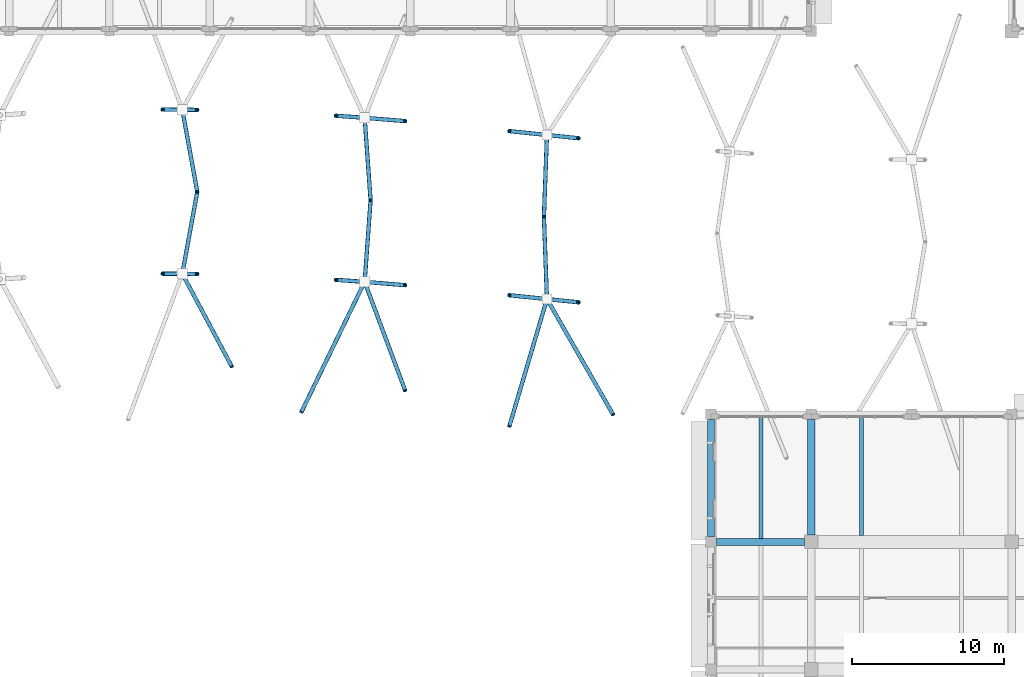
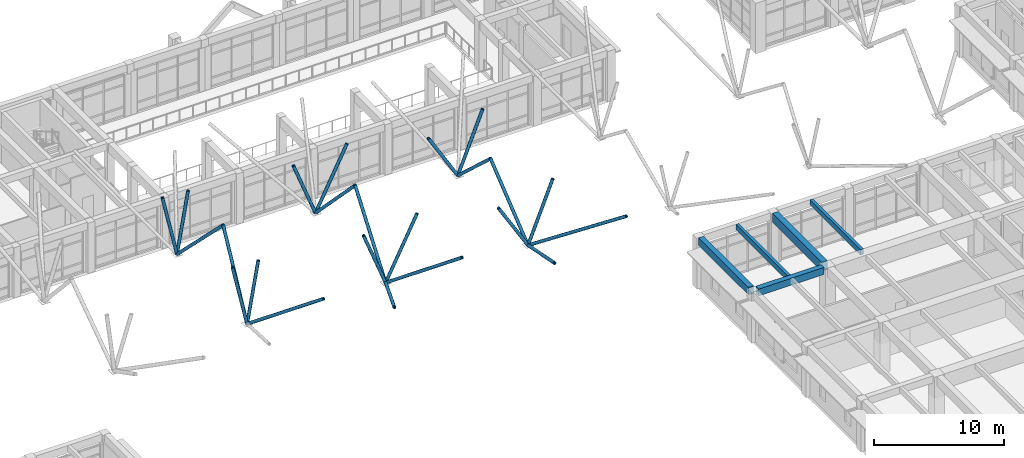
# One storey, part 13 of 75: 23 members, 5 beams.
"""IFC4 building model written with IfcOpenShell, lengths in metres."""

import ifcopenshell
import ifcopenshell.guid

model = None  # the IFC model being written
_history = None  # IfcOwnerHistory: only IFC2X3 demands one
_inside = {}  # id of a spatial element -> (the spatial element, [elements in it])
_under = {}  # id of a project, library or spatial element -> (it, [spatial elements below it])
_declared = {}  # id of a project -> (the project, [libraries it declares])
_typed = {}  # id of a type object -> (the type object, [elements of that type])
_made_of = {}  # id of a material, layer set ... -> (it, [elements and type objects made of it])


def new_model(schema):
    """Start an empty IFC model of exactly this schema.

    Asked for "IFC4X3", IfcOpenShell would pick the latest addendum, in which some entities
    have other attributes; the version numbers below select the first issue.
    IFC2X3 requires an IfcOwnerHistory on every rooted entity: one is made here for all.
    """
    global model, _history
    if schema == "IFC4X3":
        model = ifcopenshell.file(schema_version=(4, 3, 0, 0))
    else:
        model = ifcopenshell.file(schema=schema)
    _inside.clear()
    _under.clear()
    _declared.clear()
    _typed.clear()
    _made_of.clear()
    _history = None
    if model.schema == "IFC2X3":
        org = make("IfcOrganization", Name="unknown")
        user = make(
            "IfcPersonAndOrganization",
            ThePerson=make("IfcPerson", FamilyName="unknown"),
            TheOrganization=org,
        )
        app = make(
            "IfcApplication",
            ApplicationDeveloper=org,
            Version="unknown",
            ApplicationFullName="unknown",
            ApplicationIdentifier="unknown",
        )
        _history = make(
            "IfcOwnerHistory",
            OwningUser=user,
            OwningApplication=app,
            ChangeAction="ADDED",
            CreationDate=0,
        )
    return model


def make(cls, **values):
    """One entity of the class cls with the attributes given. An attribute that is None is left unset."""
    return model.create_entity(
        cls, **{name: value for name, value in values.items() if value is not None}
    )


def rooted(cls, **values):
    """An entity with a GlobalId (a new one), such as an element, a storey or a relation."""
    return make(cls, GlobalId=ifcopenshell.guid.new(), OwnerHistory=_history, **values)


def si_unit(unit_type, name, prefix=None):
    """IfcSIUnit, for example si_unit("LENGTHUNIT", "METRE", prefix="MILLI")."""
    return make("IfcSIUnit", UnitType=unit_type, Prefix=prefix, Name=name)


def assignment(units):
    """IfcUnitAssignment: the units of a project."""
    return None if units is None else make("IfcUnitAssignment", Units=units)


def point(xyz):
    """IfcCartesianPoint."""
    return None if xyz is None else make("IfcCartesianPoint", Coordinates=xyz)


def direction(xyz):
    """IfcDirection."""
    return None if xyz is None else make("IfcDirection", DirectionRatios=xyz)


def frame(location, z_axis=None, x_axis=None):
    """IfcAxis2Placement3D, a coordinate frame: its origin and axes. An axis left out is left unset."""
    return make(
        "IfcAxis2Placement3D",
        Location=point(location),
        Axis=direction(z_axis),
        RefDirection=direction(x_axis),
    )


def frame_2d(location, x_axis=None):
    """IfcAxis2Placement2D, a coordinate frame in the plane: its origin and x axis."""
    return make(
        "IfcAxis2Placement2D", Location=point(location), RefDirection=direction(x_axis)
    )


def origin():
    """The frame at (0, 0, 0) with its axes left unset."""
    return frame((0.0, 0.0, 0.0))


def origin_2d():
    """The frame at (0, 0) in the plane with its x axis left unset."""
    return frame_2d((0.0, 0.0))


def place(relative_to, where):
    """IfcLocalPlacement: puts the frame where relative to a parent placement (None: the world)."""
    return make(
        "IfcLocalPlacement", PlacementRelTo=relative_to, RelativePlacement=where
    )


def context(
    kind, dimensions, precision=None, world=None, true_north=None, identifier=None
):
    """IfcGeometricRepresentationContext, for example the 3D "Model" context."""
    return make(
        "IfcGeometricRepresentationContext",
        ContextIdentifier=identifier,
        ContextType=kind,
        CoordinateSpaceDimension=dimensions,
        Precision=precision,
        WorldCoordinateSystem=world,
        TrueNorth=true_north,
    )


def subcontext(parent, identifier, kind, view, scale=None):
    """IfcGeometricRepresentationSubContext, for example "Body" below "Model"."""
    return make(
        "IfcGeometricRepresentationSubContext",
        ContextIdentifier=identifier,
        ContextType=kind,
        ParentContext=parent,
        TargetScale=scale,
        TargetView=view,
    )


def project(units=None, contexts=None):
    """IfcProject with its units and contexts."""
    return rooted(
        "IfcProject",
        Name="project",
        RepresentationContexts=contexts,
        UnitsInContext=assignment(units),
    )


def spatial(cls, under=None, at=None, **own):
    """A site, building, storey or space (cls), placed at a placement, below another one or the project."""
    s = rooted(cls, ObjectPlacement=at, **own)
    if under is not None:
        _under.setdefault(under.id(), (under, []))[1].append(s)
    return s


def profile(cls, at=None, kind="AREA", **sizes):
    """A parametric profile (cls). Its sizes go by their IFC names, for example OverallWidth=200.0."""
    return make(cls, ProfileType=kind, Position=at, **sizes)


def rectangle(**sizes):
    """IfcRectangleProfileDef."""
    return profile("IfcRectangleProfileDef", **sizes)


def hollow_circle(**sizes):
    """IfcCircleHollowProfileDef."""
    return profile("IfcCircleHollowProfileDef", **sizes)


def extrude(swept, where, along, depth):
    """IfcExtrudedAreaSolid: the profile swept, set in the frame where, extruded along a direction by depth."""
    return make(
        "IfcExtrudedAreaSolid",
        SweptArea=swept,
        Position=where,
        ExtrudedDirection=direction(along),
        Depth=depth,
    )


def shape(context_of_items, identifier, shape_type, items):
    """IfcShapeRepresentation: the items that make up one representation, for example the "Body"."""
    return make(
        "IfcShapeRepresentation",
        ContextOfItems=context_of_items,
        RepresentationIdentifier=identifier,
        RepresentationType=shape_type,
        Items=items,
    )


def material(Name=None, Category=None):
    """IfcMaterial."""
    return make("IfcMaterial", Name=Name, Category=Category)


def material_profile(
    of_material, cross_section, Name=None, Category=None, Priority=None
):
    """IfcMaterialProfile: a cross section and its material."""
    return make(
        "IfcMaterialProfile",
        Name=Name,
        Material=of_material,
        Profile=cross_section,
        Priority=Priority,
        Category=Category,
    )


def profile_set(profiles, Name=None, composite=None):
    """IfcMaterialProfileSet."""
    return make(
        "IfcMaterialProfileSet",
        Name=Name,
        MaterialProfiles=profiles,
        CompositeProfile=composite,
    )


def made_of(thing, what):
    """Note that an element or type object is made of a material, layer set ...; save() writes the relation."""
    if what is not None:
        _made_of.setdefault(what.id(), (what, []))[1].append(thing)
    return thing


def type_object(cls, material=None, **own):
    """A type object (cls), such as IfcWallType, which elements share."""
    return made_of(rooted(cls, **own), material)


def element(
    cls,
    number,
    at=None,
    inside=None,
    cuts=None,
    type_object=None,
    material=None,
    context=None,
    identifier="Body",
    shape_type=None,
    held_by="IfcProductDefinitionShape",
    body=None,
    shapes=None,
    **own,
):
    """One element of the class cls, such as IfcWall. Its Tag is "e" and its number.

    at: its placement. inside: the storey or other place that contains it. cuts: it is an
    opening in that element (IfcRelVoidsElement). A single representation is given by context,
    identifier, shape_type and body (its items); several are given by shapes. held_by: the class
    of the entity that holds the representations. save() writes the other relations.
    """
    e = rooted(cls, Tag="e%d" % number, ObjectPlacement=at, **own)
    if body is not None:
        shapes = [shape(context, identifier, shape_type, body)]
    if shapes is not None:
        e.Representation = make(held_by, Representations=shapes)
    if inside is not None:
        _inside.setdefault(inside.id(), (inside, []))[1].append(e)
    if cuts is not None:
        rooted(
            "IfcRelVoidsElement", RelatingBuildingElement=cuts, RelatedOpeningElement=e
        )
    if type_object is not None:
        _typed.setdefault(type_object.id(), (type_object, []))[1].append(e)
    return made_of(e, material)


def aggregate(whole, parts):
    """IfcRelAggregates: a whole, such as a stair, and the parts it consists of."""
    return rooted("IfcRelAggregates", RelatingObject=whole, RelatedObjects=parts)


def save(model, path):
    """Write the relations noted so far, then the file.

    IfcRelAggregates (storeys below a building ...), IfcRelContainedInSpatialStructure (elements
    in a storey), IfcRelDefinesByType, IfcRelAssociatesMaterial and IfcRelDeclares: one each for
    every whole, place, type object, material and project.
    """
    for whole, parts in _under.values():
        aggregate(whole, parts)
    for where, things in _inside.values():
        rooted(
            "IfcRelContainedInSpatialStructure",
            RelatedElements=things,
            RelatingStructure=where,
        )
    for kind, things in _typed.values():
        rooted("IfcRelDefinesByType", RelatedObjects=things, RelatingType=kind)
    for what, things in _made_of.values():
        rooted("IfcRelAssociatesMaterial", RelatedObjects=things, RelatingMaterial=what)
    for by, libraries in _declared.values():
        rooted("IfcRelDeclares", RelatingContext=by, RelatedDefinitions=libraries)
    model.write(path)


model = new_model("IFC4")

# Units and contexts
model_context = context("Model", 3, precision=1e-05, world=origin(), true_north=direction((0.0, 1.0)))
body_context = subcontext(model_context, "Body", "Model", "MODEL_VIEW")
ifc_project = project(units=[si_unit("LENGTHUNIT", "METRE"), si_unit("AREAUNIT", "SQUARE_METRE"), si_unit("VOLUMEUNIT", "CUBIC_METRE"), si_unit("PLANEANGLEUNIT", "RADIAN"), si_unit("MASSUNIT", "GRAM", prefix="KILO")], contexts=[model_context])

# Site, building, storey
site_placement = place(None, origin())
site = spatial("IfcSite", under=ifc_project, at=site_placement, CompositionType="ELEMENT")
building_placement = place(site_placement, origin())
building = spatial("IfcBuilding", under=site, at=building_placement, Name="Kolvaren Faculty of Natural Sciences", CompositionType="ELEMENT")
storey_placement = place(building_placement, frame((0.0, 0.0, 5.39990234375)))
storey = spatial("IfcBuildingStorey", under=building, at=storey_placement, Name="L01", CompositionType="ELEMENT", Elevation=5.39990234375)

# Beams
ifc_material_1 = material(Name="Concrete C35/45", Category="concrete")
ifc_material_profile_1 = material_profile(ifc_material_1, rectangle(XDim=0.449951171875, YDim=0.64990234375, at=origin_2d()), Name="RC BM 450x650")
ifc_profile_set_1 = profile_set([ifc_material_profile_1], Name="Concrete C35/45")
beam_type_1 = type_object("IfcBeamType", Name="GridBeam_450x650", PredefinedType="BEAM", material=ifc_profile_set_1)
beam_1_placement = place(storey_placement, frame((99.550048828125, 33.800048828125, 4.47509765625), z_axis=(1.0, 0.0, 0.0), x_axis=(0.0, 1.0, 0.0)))
element("IfcBeam", 1, at=beam_1_placement, inside=storey, type_object=beam_type_1, Name="L01 beam BM-65 on grid E", PredefinedType="BEAM", context=body_context, shape_type="SweptSolid", body=[
    extrude(rectangle(XDim=0.449951171875, YDim=0.64990234375, at=origin_2d()), origin(), (0.0, 0.0, 1.0), 5.800048828125),
])
ifc_material_profile_2 = material_profile(ifc_material_1, rectangle(XDim=0.260009765625, YDim=0.5, at=origin_2d()), Name="RC JST 260x500")
ifc_profile_set_2 = profile_set([ifc_material_profile_2], Name="Concrete C35/45")
beam_type_2 = type_object("IfcBeamType", Name="LabRibJoist_260x500", PredefinedType="JOIST", material=ifc_profile_set_2)
beam_2_placement = place(storey_placement, frame((102.5, 34.02490234375, 4.550048828125), z_axis=(0.0, 1.0, 0.0), x_axis=(-1.0, 0.0, 0.0)))
element("IfcBeam", 2, at=beam_2_placement, inside=storey, type_object=beam_type_2, Name="L01 ribbed laboratory slab joist JS-50", PredefinedType="JOIST", context=body_context, shape_type="SweptSolid", body=[
    extrude(rectangle(XDim=0.260009765625, YDim=0.5, at=origin_2d()), origin(), (0.0, 0.0, 1.0), 7.9501953125),
])
beam_3_placement = place(storey_placement, frame((109.10009765625, 34.22509765625, 4.550048828125), z_axis=(0.0, 1.0, 0.0), x_axis=(-1.0, 0.0, 0.0)))
element("IfcBeam", 3, at=beam_3_placement, inside=storey, type_object=beam_type_2, Name="L01 ribbed laboratory slab joist JS-50", PredefinedType="JOIST", context=body_context, shape_type="SweptSolid", body=[
    extrude(rectangle(XDim=0.260009765625, YDim=0.5, at=origin_2d()), origin(), (0.0, 0.0, 1.0), 7.75),
])
ifc_material_profile_3 = material_profile(ifc_material_1, rectangle(XDim=0.449951171875, YDim=0.699951171875, at=origin_2d()), Name="RC SP 450x700")
ifc_profile_set_3 = profile_set([ifc_material_profile_3], Name="Concrete C35/45")
beam_type_3 = type_object("IfcBeamType", Name="PerimeterSpandrel_450x700", PredefinedType="SPANDREL", material=ifc_profile_set_3)
beam_4_placement = place(storey_placement, frame((99.199951171875, 34.14990234375, 4.4501953125), z_axis=(0.0, 1.0, 0.0), x_axis=(-1.0, 0.0, 0.0)))
element("IfcBeam", 4, at=beam_4_placement, inside=storey, type_object=beam_type_3, Name="L01 girder SP-70 on grid 16", PredefinedType="SPANDREL", context=body_context, shape_type="SweptSolid", body=[
    extrude(rectangle(XDim=0.449951171875, YDim=0.699951171875, at=origin_2d()), origin(), (0.0, 0.0, 1.0), 7.7001953125),
])
ifc_material_profile_4 = material_profile(ifc_material_1, rectangle(XDim=0.5, YDim=0.85009765625, at=origin_2d()), Name="RC BM 500x850")
ifc_profile_set_4 = profile_set([ifc_material_profile_4], Name="Concrete C35/45")
beam_type_4 = type_object("IfcBeamType", Name="PrimaryGirder_500x850", PredefinedType="BEAM", material=ifc_profile_set_4)
beam_5_placement = place(storey_placement, frame((105.800048828125, 34.25, 4.375), z_axis=(0.0, 1.0, 0.0), x_axis=(-1.0, 0.0, 0.0)))
element("IfcBeam", 5, at=beam_5_placement, inside=storey, type_object=beam_type_4, Name="L01 girder BG-85 on grid 17", PredefinedType="BEAM", context=body_context, shape_type="SweptSolid", body=[
    extrude(rectangle(XDim=0.5, YDim=0.85009765625, at=origin_2d()), origin(), (0.0, 0.0, 1.0), 7.60009765625),
])

# Members
ifc_material_2 = material(Name="Structural steel EN 10210-1 S355J2H (white architectural finish)", Category="steel")
ifc_material_profile_5 = material_profile(ifc_material_2, hollow_circle(Radius=0.136474609375, WallThickness=0.012451171875, at=origin_2d()), Name="CHS 273x12.5")
ifc_profile_set_5 = profile_set([ifc_material_profile_5], Name="Structural steel EN 10210-1 S355J2H (white architectural finish)")
member_type = type_object("IfcMemberType", Name="TreeBranchPrimary_CHS273", PredefinedType="STRUT", material=ifc_profile_set_5)
member_1_placement = place(storey_placement, frame((64.39990234375, 51.444580078125, 3.0), z_axis=(-0.219726187463, 0.000907959452, 0.975561160642), x_axis=(-0.004132196126, -0.999991462441, 0.0)))
element("IfcMember", 6, at=member_1_placement, inside=storey, type_object=member_type, Name="Covered street canopy tree TREE-03 inclined branch 2", PredefinedType="STRUT", context=body_context, shape_type="SweptSolid", body=[
    extrude(hollow_circle(Radius=0.136474609375, WallThickness=0.012451171875, at=origin_2d()), origin(), (0.0, 0.0, 1.0), 5.91552734375),
])
member_2_placement = place(storey_placement, frame((64.39990234375, 51.444580078125, 3.0), z_axis=(0.124566215741, 0.683596597175, 0.719151548859), x_axis=(-0.983799945634, 0.179269816117, 0.0)))
element("IfcMember", 7, at=member_2_placement, inside=storey, type_object=member_type, Name="Covered street canopy tree TREE-03 inclined branch 3", PredefinedType="STRUT", context=body_context, shape_type="SweptSolid", body=[
    extrude(hollow_circle(Radius=0.136474609375, WallThickness=0.012451171875, at=origin_2d()), origin(), (0.0, 0.0, 1.0), 7.8828125),
])
member_3_placement = place(storey_placement, frame((64.39990234375, 51.444580078125, 3.0), z_axis=(0.171401978972, -0.002002956989, 0.985199142188), x_axis=(0.011684930695, 0.999931728867, 0.0)))
element("IfcMember", 8, at=member_3_placement, inside=storey, type_object=member_type, Name="Covered street canopy tree TREE-03 inclined branch 4", PredefinedType="STRUT", context=body_context, shape_type="SweptSolid", body=[
    extrude(hollow_circle(Radius=0.136474609375, WallThickness=0.012451171875, at=origin_2d()), origin(), (0.0, 0.0, 1.0), 5.728759765625),
])
member_4_placement = place(storey_placement, frame((64.39990234375, 51.444580078125, 3.0), z_axis=(0.383151334801, -0.718953327509, 0.579914793314), x_axis=(0.882500929011, 0.470310652967, 0.0)))
element("IfcMember", 9, at=member_4_placement, inside=storey, type_object=member_type, Name="Covered street canopy tree TREE-03 inclined branch 5", PredefinedType="STRUT", context=body_context, shape_type="SweptSolid", body=[
    extrude(hollow_circle(Radius=0.136474609375, WallThickness=0.012451171875, at=origin_2d()), origin(), (0.0, 0.0, 1.0), 8.51806640625),
])
member_5_placement = place(storey_placement, frame((64.39990234375, 62.244384765625, 3.0), z_axis=(-0.219726179042, 0.0009492303, 0.975561123254), x_axis=(-0.004320019793, -0.999990668671, 0.0)))
element("IfcMember", 10, at=member_5_placement, inside=storey, type_object=member_type, Name="Covered street canopy tree TREE-04 inclined branch 2", PredefinedType="STRUT", context=body_context, shape_type="SweptSolid", body=[
    extrude(hollow_circle(Radius=0.136474609375, WallThickness=0.012451171875, at=origin_2d()), origin(), (0.0, 0.0, 1.0), 5.91552734375),
])
member_6_placement = place(storey_placement, frame((64.39990234375, 62.244384765625, 3.0), z_axis=(0.124323788676, -0.68511000801, 0.717751957499), x_axis=(0.983930937784, 0.178549460015, 0.0)))
element("IfcMember", 11, at=member_6_placement, inside=storey, type_object=member_type, Name="Covered street canopy tree TREE-04 inclined branch 3", PredefinedType="STRUT", context=body_context, shape_type="SweptSolid", body=[
    extrude(hollow_circle(Radius=0.136474609375, WallThickness=0.012451171875, at=origin_2d()), origin(), (0.0, 0.0, 1.0), 7.898193359375),
])
member_7_placement = place(storey_placement, frame((64.39990234375, 62.244384765625, 3.0), z_axis=(0.171401993447, -0.001960341049, 0.985199225388), x_axis=(0.011436348018, 0.999934602834, 0.0)))
element("IfcMember", 12, at=member_7_placement, inside=storey, type_object=member_type, Name="Covered street canopy tree TREE-04 inclined branch 4", PredefinedType="STRUT", context=body_context, shape_type="SweptSolid", body=[
    extrude(hollow_circle(Radius=0.136474609375, WallThickness=0.012451171875, at=origin_2d()), origin(), (0.0, 0.0, 1.0), 5.728759765625),
])
member_8_placement = place(storey_placement, frame((76.39990234375, 50.91064453125, 3.0), z_axis=(-0.398068959732, -0.818776912435, 0.413697318048), x_axis=(0.899345219811, -0.437239265853, 0.0)))
element("IfcMember", 13, at=member_8_placement, inside=storey, type_object=member_type, Name="Covered street canopy tree TREE-05 inclined branch 1", PredefinedType="STRUT", context=body_context, shape_type="SweptSolid", body=[
    extrude(hollow_circle(Radius=0.136474609375, WallThickness=0.012451171875, at=origin_2d()), origin(), (0.0, 0.0, 1.0), 10.482177734375),
])
member_9_placement = place(storey_placement, frame((76.39990234375, 50.91064453125, 3.0), z_axis=(-0.35258574357, 0.025448086592, 0.935433422708), x_axis=(-0.071988335695, -0.997405473979, 0.0)))
element("IfcMember", 14, at=member_9_placement, inside=storey, type_object=member_type, Name="Covered street canopy tree TREE-05 inclined branch 2", PredefinedType="STRUT", context=body_context, shape_type="SweptSolid", body=[
    extrude(hollow_circle(Radius=0.136474609375, WallThickness=0.012451171875, at=origin_2d()), origin(), (0.0, 0.0, 1.0), 5.36279296875),
])
member_10_placement = place(storey_placement, frame((76.39990234375, 50.91064453125, 3.0), z_axis=(0.049664498538, 0.68187930421, 0.729776713848), x_axis=(-0.99735805747, 0.072642309983, 0.0)))
element("IfcMember", 15, at=member_10_placement, inside=storey, type_object=member_type, Name="Covered street canopy tree TREE-05 inclined branch 3", PredefinedType="STRUT", context=body_context, shape_type="SweptSolid", body=[
    extrude(hollow_circle(Radius=0.136474609375, WallThickness=0.012451171875, at=origin_2d()), origin(), (0.0, 0.0, 1.0), 7.875),
])
member_11_placement = place(storey_placement, frame((76.39990234375, 50.91064453125, 3.0), z_axis=(0.423684385024, -0.034636237175, 0.905147431616), x_axis=(0.081478281882, 0.996675117369, 0.0)))
element("IfcMember", 16, at=member_11_placement, inside=storey, type_object=member_type, Name="Covered street canopy tree TREE-05 inclined branch 4", PredefinedType="STRUT", context=body_context, shape_type="SweptSolid", body=[
    extrude(hollow_circle(Radius=0.136474609375, WallThickness=0.012451171875, at=origin_2d()), origin(), (0.0, 0.0, 1.0), 6.30859375),
])
member_12_placement = place(storey_placement, frame((76.39990234375, 50.91064453125, 3.0), z_axis=(0.27893136178, -0.747647132941, 0.602678239213), x_axis=(0.936919604485, 0.349544925197, 0.0)))
element("IfcMember", 17, at=member_12_placement, inside=storey, type_object=member_type, Name="Covered street canopy tree TREE-05 inclined branch 5", PredefinedType="STRUT", context=body_context, shape_type="SweptSolid", body=[
    extrude(hollow_circle(Radius=0.136474609375, WallThickness=0.012451171875, at=origin_2d()), origin(), (0.0, 0.0, 1.0), 9.58251953125),
])
member_13_placement = place(storey_placement, frame((76.39990234375, 61.710693359375, 3.0), z_axis=(-0.352586151678, 0.02540259169, 0.935434505447), x_axis=(-0.071860220731, -0.997414712482, 0.0)))
element("IfcMember", 18, at=member_13_placement, inside=storey, type_object=member_type, Name="Covered street canopy tree TREE-06 inclined branch 2", PredefinedType="STRUT", context=body_context, shape_type="SweptSolid", body=[
    extrude(hollow_circle(Radius=0.136474609375, WallThickness=0.012451171875, at=origin_2d()), origin(), (0.0, 0.0, 1.0), 5.36279296875),
])
member_14_placement = place(storey_placement, frame((76.39990234375, 61.710693359375, 3.0), z_axis=(0.049405759729, -0.685944386947, 0.725974771546), x_axis=(0.997416183854, 0.071839795276, 0.0)))
element("IfcMember", 19, at=member_14_placement, inside=storey, type_object=member_type, Name="Covered street canopy tree TREE-06 inclined branch 3", PredefinedType="STRUT", context=body_context, shape_type="SweptSolid", body=[
    extrude(hollow_circle(Radius=0.136474609375, WallThickness=0.012451171875, at=origin_2d()), origin(), (0.0, 0.0, 1.0), 7.916259765625),
])
member_15_placement = place(storey_placement, frame((76.39990234375, 61.710693359375, 3.0), z_axis=(0.423684385024, -0.034636237175, 0.905147431616), x_axis=(0.081478281882, 0.996675117369, 0.0)))
element("IfcMember", 20, at=member_15_placement, inside=storey, type_object=member_type, Name="Covered street canopy tree TREE-06 inclined branch 4", PredefinedType="STRUT", context=body_context, shape_type="SweptSolid", body=[
    extrude(hollow_circle(Radius=0.136474609375, WallThickness=0.012451171875, at=origin_2d()), origin(), (0.0, 0.0, 1.0), 6.30859375),
])
member_16_placement = place(storey_placement, frame((88.39990234375, 49.779296875, 3.0), z_axis=(-0.254851788521, -0.861456709648, 0.439252664523), x_axis=(0.958917683502, -0.28368446603, 0.0)))
element("IfcMember", 21, at=member_16_placement, inside=storey, type_object=member_type, Name="Covered street canopy tree TREE-07 inclined branch 1", PredefinedType="STRUT", context=body_context, shape_type="SweptSolid", body=[
    extrude(hollow_circle(Radius=0.136474609375, WallThickness=0.012451171875, at=origin_2d()), origin(), (0.0, 0.0, 1.0), 9.73779296875),
])
member_17_placement = place(storey_placement, frame((88.39990234375, 49.779296875, 3.0), z_axis=(-0.506905978095, 0.052211565083, 0.860418666606), x_axis=(-0.102458429856, -0.994737287002, 0.0)))
element("IfcMember", 22, at=member_17_placement, inside=storey, type_object=member_type, Name="Covered street canopy tree TREE-07 inclined branch 2", PredefinedType="STRUT", context=body_context, shape_type="SweptSolid", body=[
    extrude(hollow_circle(Radius=0.136474609375, WallThickness=0.012451171875, at=origin_2d()), origin(), (0.0, 0.0, 1.0), 4.895751953125),
])
member_18_placement = place(storey_placement, frame((88.39990234375, 49.779296875, 3.0), z_axis=(-0.027294053668, 0.739938795585, 0.672120237326), x_axis=(-0.99932037151, -0.036861837782, 0.0)))
element("IfcMember", 23, at=member_18_placement, inside=storey, type_object=member_type, Name="Covered street canopy tree TREE-07 inclined branch 3", PredefinedType="STRUT", context=body_context, shape_type="SweptSolid", body=[
    extrude(hollow_circle(Radius=0.136474609375, WallThickness=0.012451171875, at=origin_2d()), origin(), (0.0, 0.0, 1.0), 7.325927734375),
])
member_19_placement = place(storey_placement, frame((88.39990234375, 49.779296875, 3.0), z_axis=(0.345050627396, -0.03548837812, 0.937912916828), x_axis=(0.102310072967, 0.994752556654, 0.0)))
element("IfcMember", 24, at=member_19_placement, inside=storey, type_object=member_type, Name="Covered street canopy tree TREE-07 inclined branch 4", PredefinedType="STRUT", context=body_context, shape_type="SweptSolid", body=[
    extrude(hollow_circle(Radius=0.136474609375, WallThickness=0.012451171875, at=origin_2d()), origin(), (0.0, 0.0, 1.0), 6.033203125),
])
member_20_placement = place(storey_placement, frame((88.39990234375, 49.779296875, 3.0), z_axis=(0.41424414198, -0.722783487519, 0.553159851223), x_axis=(0.867609004237, 0.497247036962, 0.0)))
element("IfcMember", 25, at=member_20_placement, inside=storey, type_object=member_type, Name="Covered street canopy tree TREE-07 inclined branch 5", PredefinedType="STRUT", context=body_context, shape_type="SweptSolid", body=[
    extrude(hollow_circle(Radius=0.136474609375, WallThickness=0.012451171875, at=origin_2d()), origin(), (0.0, 0.0, 1.0), 10.5341796875),
])
member_21_placement = place(storey_placement, frame((88.39990234375, 60.579345703125, 3.0), z_axis=(-0.506907297288, 0.052161833051, 0.860420905795), x_axis=(-0.102361596644, -0.994747256107, 0.0)))
element("IfcMember", 26, at=member_21_placement, inside=storey, type_object=member_type, Name="Covered street canopy tree TREE-08 inclined branch 2", PredefinedType="STRUT", context=body_context, shape_type="SweptSolid", body=[
    extrude(hollow_circle(Radius=0.136474609375, WallThickness=0.012451171875, at=origin_2d()), origin(), (0.0, 0.0, 1.0), 4.895751953125),
])
member_22_placement = place(storey_placement, frame((88.39990234375, 60.579345703125, 3.0), z_axis=(-0.02740807695, -0.737374319308, 0.674928078052), x_axis=(0.999309916906, -0.037144178177, 0.0)))
element("IfcMember", 27, at=member_22_placement, inside=storey, type_object=member_type, Name="Covered street canopy tree TREE-08 inclined branch 3", PredefinedType="STRUT", context=body_context, shape_type="SweptSolid", body=[
    extrude(hollow_circle(Radius=0.136474609375, WallThickness=0.012451171875, at=origin_2d()), origin(), (0.0, 0.0, 1.0), 7.29541015625),
])
member_23_placement = place(storey_placement, frame((88.39990234375, 60.579345703125, 3.0), z_axis=(0.345050627396, -0.03548837812, 0.937912916828), x_axis=(0.102310072967, 0.994752556654, 0.0)))
element("IfcMember", 28, at=member_23_placement, inside=storey, type_object=member_type, Name="Covered street canopy tree TREE-08 inclined branch 4", PredefinedType="STRUT", context=body_context, shape_type="SweptSolid", body=[
    extrude(hollow_circle(Radius=0.136474609375, WallThickness=0.012451171875, at=origin_2d()), origin(), (0.0, 0.0, 1.0), 6.033203125),
])

save(model, "model.ifc")
